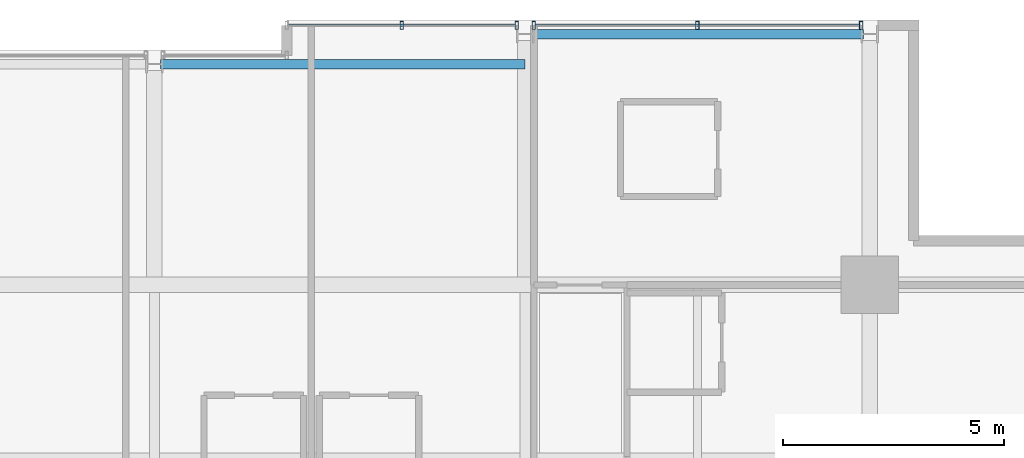
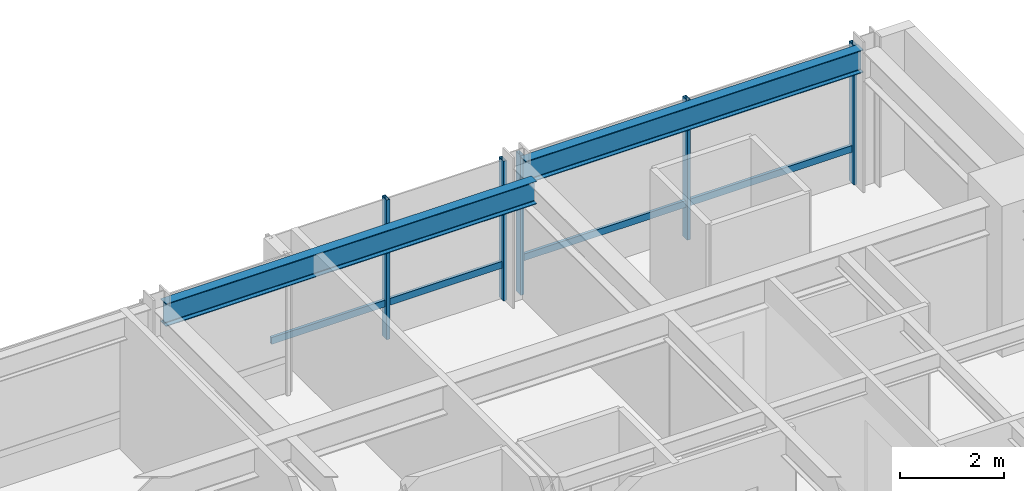
# One storey, part 23 of 31: 7 members, 2 beams, 2 elements without a shape of their own.
"""IFC4 building model written with IfcOpenShell, lengths in metres."""

import ifcopenshell
import ifcopenshell.guid

model = None  # the IFC model being written
_history = None  # IfcOwnerHistory: only IFC2X3 demands one
_inside = {}  # id of a spatial element -> (the spatial element, [elements in it])
_under = {}  # id of a project, library or spatial element -> (it, [spatial elements below it])
_declared = {}  # id of a project -> (the project, [libraries it declares])
_typed = {}  # id of a type object -> (the type object, [elements of that type])
_made_of = {}  # id of a material, layer set ... -> (it, [elements and type objects made of it])


def new_model(schema):
    """Start an empty IFC model of exactly this schema.

    Asked for "IFC4X3", IfcOpenShell would pick the latest addendum, in which some entities
    have other attributes; the version numbers below select the first issue.
    IFC2X3 requires an IfcOwnerHistory on every rooted entity: one is made here for all.
    """
    global model, _history
    if schema == "IFC4X3":
        model = ifcopenshell.file(schema_version=(4, 3, 0, 0))
    else:
        model = ifcopenshell.file(schema=schema)
    _inside.clear()
    _under.clear()
    _declared.clear()
    _typed.clear()
    _made_of.clear()
    _history = None
    if model.schema == "IFC2X3":
        org = make("IfcOrganization", Name="unknown")
        user = make(
            "IfcPersonAndOrganization",
            ThePerson=make("IfcPerson", FamilyName="unknown"),
            TheOrganization=org,
        )
        app = make(
            "IfcApplication",
            ApplicationDeveloper=org,
            Version="unknown",
            ApplicationFullName="unknown",
            ApplicationIdentifier="unknown",
        )
        _history = make(
            "IfcOwnerHistory",
            OwningUser=user,
            OwningApplication=app,
            ChangeAction="ADDED",
            CreationDate=0,
        )
    return model


def make(cls, **values):
    """One entity of the class cls with the attributes given. An attribute that is None is left unset."""
    return model.create_entity(
        cls, **{name: value for name, value in values.items() if value is not None}
    )


def rooted(cls, **values):
    """An entity with a GlobalId (a new one), such as an element, a storey or a relation."""
    return make(cls, GlobalId=ifcopenshell.guid.new(), OwnerHistory=_history, **values)


def si_unit(unit_type, name, prefix=None):
    """IfcSIUnit, for example si_unit("LENGTHUNIT", "METRE", prefix="MILLI")."""
    return make("IfcSIUnit", UnitType=unit_type, Prefix=prefix, Name=name)


def assignment(units):
    """IfcUnitAssignment: the units of a project."""
    return None if units is None else make("IfcUnitAssignment", Units=units)


def point(xyz):
    """IfcCartesianPoint."""
    return None if xyz is None else make("IfcCartesianPoint", Coordinates=xyz)


def direction(xyz):
    """IfcDirection."""
    return None if xyz is None else make("IfcDirection", DirectionRatios=xyz)


def frame(location, z_axis=None, x_axis=None):
    """IfcAxis2Placement3D, a coordinate frame: its origin and axes. An axis left out is left unset."""
    return make(
        "IfcAxis2Placement3D",
        Location=point(location),
        Axis=direction(z_axis),
        RefDirection=direction(x_axis),
    )


def frame_2d(location, x_axis=None):
    """IfcAxis2Placement2D, a coordinate frame in the plane: its origin and x axis."""
    return make(
        "IfcAxis2Placement2D", Location=point(location), RefDirection=direction(x_axis)
    )


def origin():
    """The frame at (0, 0, 0) with its axes left unset."""
    return frame((0.0, 0.0, 0.0))


def origin_2d():
    """The frame at (0, 0) in the plane with its x axis left unset."""
    return frame_2d((0.0, 0.0))


def place(relative_to, where):
    """IfcLocalPlacement: puts the frame where relative to a parent placement (None: the world)."""
    return make(
        "IfcLocalPlacement", PlacementRelTo=relative_to, RelativePlacement=where
    )


def context(
    kind, dimensions, precision=None, world=None, true_north=None, identifier=None
):
    """IfcGeometricRepresentationContext, for example the 3D "Model" context."""
    return make(
        "IfcGeometricRepresentationContext",
        ContextIdentifier=identifier,
        ContextType=kind,
        CoordinateSpaceDimension=dimensions,
        Precision=precision,
        WorldCoordinateSystem=world,
        TrueNorth=true_north,
    )


def subcontext(parent, identifier, kind, view, scale=None):
    """IfcGeometricRepresentationSubContext, for example "Body" below "Model"."""
    return make(
        "IfcGeometricRepresentationSubContext",
        ContextIdentifier=identifier,
        ContextType=kind,
        ParentContext=parent,
        TargetScale=scale,
        TargetView=view,
    )


def project(units=None, contexts=None):
    """IfcProject with its units and contexts."""
    return rooted(
        "IfcProject",
        Name="project",
        RepresentationContexts=contexts,
        UnitsInContext=assignment(units),
    )


def spatial(cls, under=None, at=None, **own):
    """A site, building, storey or space (cls), placed at a placement, below another one or the project."""
    s = rooted(cls, ObjectPlacement=at, **own)
    if under is not None:
        _under.setdefault(under.id(), (under, []))[1].append(s)
    return s


def profile(cls, at=None, kind="AREA", **sizes):
    """A parametric profile (cls). Its sizes go by their IFC names, for example OverallWidth=200.0."""
    return make(cls, ProfileType=kind, Position=at, **sizes)


def hollow_rectangle(**sizes):
    """IfcRectangleHollowProfileDef."""
    return profile("IfcRectangleHollowProfileDef", **sizes)


def i_section(**sizes):
    """IfcIShapeProfileDef."""
    return profile("IfcIShapeProfileDef", **sizes)


def extrude(swept, where, along, depth):
    """IfcExtrudedAreaSolid: the profile swept, set in the frame where, extruded along a direction by depth."""
    return make(
        "IfcExtrudedAreaSolid",
        SweptArea=swept,
        Position=where,
        ExtrudedDirection=direction(along),
        Depth=depth,
    )


def shape(context_of_items, identifier, shape_type, items):
    """IfcShapeRepresentation: the items that make up one representation, for example the "Body"."""
    return make(
        "IfcShapeRepresentation",
        ContextOfItems=context_of_items,
        RepresentationIdentifier=identifier,
        RepresentationType=shape_type,
        Items=items,
    )


def material(Name=None, Category=None):
    """IfcMaterial."""
    return make("IfcMaterial", Name=Name, Category=Category)


def layer(
    of_material, thickness, ventilated=None, Name=None, Category=None, Priority=None
):
    """IfcMaterialLayer: one layer of a wall or slab, of a material (None: an air gap)."""
    return make(
        "IfcMaterialLayer",
        Material=of_material,
        LayerThickness=thickness,
        IsVentilated=ventilated,
        Name=Name,
        Category=Category,
        Priority=Priority,
    )


def layer_set(layers, Name=None):
    """IfcMaterialLayerSet."""
    return make("IfcMaterialLayerSet", MaterialLayers=layers, LayerSetName=Name)


def material_profile(
    of_material, cross_section, Name=None, Category=None, Priority=None
):
    """IfcMaterialProfile: a cross section and its material."""
    return make(
        "IfcMaterialProfile",
        Name=Name,
        Material=of_material,
        Profile=cross_section,
        Priority=Priority,
        Category=Category,
    )


def profile_set(profiles, Name=None, composite=None):
    """IfcMaterialProfileSet."""
    return make(
        "IfcMaterialProfileSet",
        Name=Name,
        MaterialProfiles=profiles,
        CompositeProfile=composite,
    )


def made_of(thing, what):
    """Note that an element or type object is made of a material, layer set ...; save() writes the relation."""
    if what is not None:
        _made_of.setdefault(what.id(), (what, []))[1].append(thing)
    return thing


def type_object(cls, material=None, **own):
    """A type object (cls), such as IfcWallType, which elements share."""
    return made_of(rooted(cls, **own), material)


def element(
    cls,
    number,
    at=None,
    inside=None,
    cuts=None,
    type_object=None,
    material=None,
    context=None,
    identifier="Body",
    shape_type=None,
    held_by="IfcProductDefinitionShape",
    body=None,
    shapes=None,
    **own,
):
    """One element of the class cls, such as IfcWall. Its Tag is "e" and its number.

    at: its placement. inside: the storey or other place that contains it. cuts: it is an
    opening in that element (IfcRelVoidsElement). A single representation is given by context,
    identifier, shape_type and body (its items); several are given by shapes. held_by: the class
    of the entity that holds the representations. save() writes the other relations.
    """
    e = rooted(cls, Tag="e%d" % number, ObjectPlacement=at, **own)
    if body is not None:
        shapes = [shape(context, identifier, shape_type, body)]
    if shapes is not None:
        e.Representation = make(held_by, Representations=shapes)
    if inside is not None:
        _inside.setdefault(inside.id(), (inside, []))[1].append(e)
    if cuts is not None:
        rooted(
            "IfcRelVoidsElement", RelatingBuildingElement=cuts, RelatedOpeningElement=e
        )
    if type_object is not None:
        _typed.setdefault(type_object.id(), (type_object, []))[1].append(e)
    return made_of(e, material)


def aggregate(whole, parts):
    """IfcRelAggregates: a whole, such as a stair, and the parts it consists of."""
    return rooted("IfcRelAggregates", RelatingObject=whole, RelatedObjects=parts)


def save(model, path):
    """Write the relations noted so far, then the file.

    IfcRelAggregates (storeys below a building ...), IfcRelContainedInSpatialStructure (elements
    in a storey), IfcRelDefinesByType, IfcRelAssociatesMaterial and IfcRelDeclares: one each for
    every whole, place, type object, material and project.
    """
    for whole, parts in _under.values():
        aggregate(whole, parts)
    for where, things in _inside.values():
        rooted(
            "IfcRelContainedInSpatialStructure",
            RelatedElements=things,
            RelatingStructure=where,
        )
    for kind, things in _typed.values():
        rooted("IfcRelDefinesByType", RelatedObjects=things, RelatingType=kind)
    for what, things in _made_of.values():
        rooted("IfcRelAssociatesMaterial", RelatedObjects=things, RelatingMaterial=what)
    for by, libraries in _declared.values():
        rooted("IfcRelDeclares", RelatingContext=by, RelatedDefinitions=libraries)
    model.write(path)


model = new_model("IFC4")

# Units and contexts
model_context = context("Model", 3, precision=1e-05, world=origin(), true_north=direction((0.0, 1.0)))
body_context = subcontext(model_context, "Body", "Model", "MODEL_VIEW")
ifc_project = project(units=[si_unit("LENGTHUNIT", "METRE"), si_unit("AREAUNIT", "SQUARE_METRE"), si_unit("VOLUMEUNIT", "CUBIC_METRE"), si_unit("PLANEANGLEUNIT", "RADIAN"), si_unit("MASSUNIT", "GRAM", prefix="KILO")], contexts=[model_context])

# Site, building, storey
site_placement = place(None, origin())
site = spatial("IfcSite", under=ifc_project, at=site_placement, CompositionType="ELEMENT")
building_placement = place(site_placement, origin())
building = spatial("IfcBuilding", under=site, at=building_placement, Name="Drelvath Grand Hotel", CompositionType="ELEMENT")
storey_placement = place(building_placement, frame((0.0, 0.0, 185.89990234375)))
storey = spatial("IfcBuildingStorey", under=building, at=storey_placement, Name="L48", CompositionType="ELEMENT", Elevation=185.89990234375)

# Curtain wall, member
ifc_material_1 = material(Name="Brushed Pale-Silver Anodised Aluminium Frame", Category="aluminium")
ifc_layer = layer(ifc_material_1, 0.199951171875)
ifc_layer_set = layer_set([ifc_layer], Name="Brushed Pale-Silver Anodised Aluminium Frame")
curtain_wall_type = type_object("IfcCurtainWallType", Name="Stick Curtain Wall CW-04 Brushed Silver Upper-Mid", PredefinedType="NOTDEFINED", material=ifc_layer_set)
curtain_wall_1_placement = place(storey_placement, origin())
curtain_wall_1 = element("IfcCurtainWall", 1, at=curtain_wall_1_placement, inside=storey, type_object=curtain_wall_type, Name="L48 CW-04 Curtain Wall CW04-L48-NE1", PredefinedType="NOTDEFINED")
ifc_material_profile_1 = material_profile(ifc_material_1, hollow_rectangle(XDim=0.06494140625, YDim=0.159912109375, WallThickness=0.00390625, at=origin_2d()), Name="HSS160X65X4")
ifc_profile_set_1 = profile_set([ifc_material_profile_1], Name="Brushed Pale-Silver Anodised Aluminium Frame")
member_type_1 = type_object("IfcMemberType", Name="Curtain Wall Horizontal Transom CW-04 HSS160X65X4", PredefinedType="USERDEFINED", material=ifc_profile_set_1)
member_1_placement = place(storey_placement, frame((3.0400390625, 49.080078125, 0.822509765625), z_axis=(1.0, 0.0, 0.0), x_axis=(0.0, 1.0, 0.0)))
member_1 = element("IfcMember", 2, at=member_1_placement, type_object=member_type_1, Name="CW04-L48-NE1 Sill Transom", ObjectType="TRANSOM", PredefinedType="USERDEFINED", context=body_context, shape_type="SweptSolid", body=[
    extrude(hollow_rectangle(XDim=0.06494140625, YDim=0.159912109375, WallThickness=0.00390625, at=origin_2d()), origin(), (0.0, 0.0, 1.0), 5.128173828125),
])

curtain_wall_2_placement = place(storey_placement, origin())
curtain_wall_2 = element("IfcCurtainWall", 3, at=curtain_wall_2_placement, inside=storey, type_object=curtain_wall_type, Name="L48 CW-04 Curtain Wall CW04-L48-NE2", PredefinedType="NOTDEFINED")
member_2_placement = place(storey_placement, frame((8.631591796875, 49.080078125, 0.822509765625), z_axis=(1.0, 0.0, 0.0), x_axis=(0.0, 1.0, 0.0)))
member_2 = element("IfcMember", 4, at=member_2_placement, type_object=member_type_1, Name="CW04-L48-NE2 Sill Transom", ObjectType="TRANSOM", PredefinedType="USERDEFINED", context=body_context, shape_type="SweptSolid", body=[
    extrude(hollow_rectangle(XDim=0.06494140625, YDim=0.159912109375, WallThickness=0.00390625, at=origin_2d()), origin(), (0.0, 0.0, 1.0), 7.3369140625),
])

# Member
ifc_material_profile_2 = material_profile(ifc_material_1, hollow_rectangle(XDim=0.074951171875, YDim=0.179931640625, WallThickness=0.0048828125, at=origin_2d()), Name="HSS180X75X5")
ifc_profile_set_2 = profile_set([ifc_material_profile_2], Name="Brushed Pale-Silver Anodised Aluminium Frame")
member_type_2 = type_object("IfcMemberType", Name="Curtain Wall Vertical Mullion CW-04 HSS180X75X5", PredefinedType="MULLION", material=ifc_profile_set_2)
member_3_placement = place(storey_placement, frame((5.60400390625, 49.080078125, 0.0), z_axis=(0.0, 0.0, 1.0), x_axis=(1.0, 0.0, 0.0)))
member_3 = element("IfcMember", 5, at=member_3_placement, type_object=member_type_2, Name="CW04-L48-NE1 Mullion 2", PredefinedType="MULLION", context=body_context, shape_type="SweptSolid", body=[
    extrude(hollow_rectangle(XDim=0.074951171875, YDim=0.179931640625, WallThickness=0.0048828125, at=origin_2d()), origin(), (0.0, 0.0, 1.0), 3.2900390625),
])

member_4_placement = place(storey_placement, frame((8.208251953125, 49.080078125, 0.0), z_axis=(0.0, 0.0, 1.0), x_axis=(1.0, 0.0, 0.0)))
member_4 = element("IfcMember", 6, at=member_4_placement, type_object=member_type_2, Name="CW04-L48-NE1 Mullion 3", PredefinedType="MULLION", context=body_context, shape_type="SweptSolid", body=[
    extrude(hollow_rectangle(XDim=0.074951171875, YDim=0.179931640625, WallThickness=0.0048828125, at=origin_2d()), origin(), (0.0, 0.0, 1.0), 3.2900390625),
])

aggregate(curtain_wall_1, [member_3, member_4, member_1])

member_5_placement = place(storey_placement, frame((8.591796875, 49.080078125, 0.0), z_axis=(0.0, 0.0, 1.0), x_axis=(1.0, 0.0, 0.0)))
member_5 = element("IfcMember", 7, at=member_5_placement, type_object=member_type_2, Name="CW04-L48-NE2 Mullion 1", PredefinedType="MULLION", context=body_context, shape_type="SweptSolid", body=[
    extrude(hollow_rectangle(XDim=0.074951171875, YDim=0.179931640625, WallThickness=0.0048828125, at=origin_2d()), origin(), (0.0, 0.0, 1.0), 3.2900390625),
])

member_6_placement = place(storey_placement, frame((12.300048828125, 49.080078125, 0.0), z_axis=(0.0, 0.0, 1.0), x_axis=(1.0, 0.0, 0.0)))
member_6 = element("IfcMember", 8, at=member_6_placement, type_object=member_type_2, Name="CW04-L48-NE2 Mullion 2", PredefinedType="MULLION", context=body_context, shape_type="SweptSolid", body=[
    extrude(hollow_rectangle(XDim=0.074951171875, YDim=0.179931640625, WallThickness=0.0048828125, at=origin_2d()), origin(), (0.0, 0.0, 1.0), 3.2900390625),
])

member_7_placement = place(storey_placement, frame((16.00830078125, 49.080078125, 0.0), z_axis=(0.0, 0.0, 1.0), x_axis=(1.0, 0.0, 0.0)))
member_7 = element("IfcMember", 9, at=member_7_placement, type_object=member_type_2, Name="CW04-L48-NE2 Mullion 3", PredefinedType="MULLION", context=body_context, shape_type="SweptSolid", body=[
    extrude(hollow_rectangle(XDim=0.074951171875, YDim=0.179931640625, WallThickness=0.0048828125, at=origin_2d()), origin(), (0.0, 0.0, 1.0), 3.2900390625),
])

aggregate(curtain_wall_2, [member_5, member_6, member_7, member_2])

# Beams
ifc_material_2 = material(Name="Steel ASTM A992 Gr 50", Category="steel")
ifc_material_profile_3 = material_profile(ifc_material_2, i_section(OverallWidth=0.210205078125, OverallDepth=0.53662109375, WebThickness=0.010986328125, FlangeThickness=0.017333984375, FilletRadius=0.01806640625, at=origin_2d()), Name="W21X68")
ifc_profile_set_3 = profile_set([ifc_material_profile_3], Name="Steel ASTM A992 Gr 50")
beam_type = type_object("IfcBeamType", Name="Perimeter Spandrel Beam W21X68", PredefinedType="SPANDREL", material=ifc_profile_set_3)
beam_1_placement = place(storey_placement, frame((0.139892578125, 48.199951171875, 3.021728515625), z_axis=(1.0, 0.0, 0.0), x_axis=(0.0, 1.0, 0.0)))
element("IfcBeam", 10, at=beam_1_placement, inside=storey, type_object=beam_type, Name="L48 Spandrel North Mid E", PredefinedType="SPANDREL", context=body_context, shape_type="SweptSolid", body=[
    extrude(i_section(OverallWidth=0.210205078125, OverallDepth=0.53662109375, WebThickness=0.010986328125, FlangeThickness=0.017333984375, FilletRadius=0.01806640625, at=origin_2d()), origin(), (0.0, 0.0, 1.0), 8.260009765625),
])
beam_2_placement = place(storey_placement, frame((8.5400390625, 48.8798828125, 3.021728515625), z_axis=(1.0, 0.0, 0.0), x_axis=(0.0, 1.0, 0.0)))
element("IfcBeam", 11, at=beam_2_placement, inside=storey, type_object=beam_type, Name="L48 Spandrel North E", PredefinedType="SPANDREL", context=body_context, shape_type="SweptSolid", body=[
    extrude(i_section(OverallWidth=0.210205078125, OverallDepth=0.53662109375, WebThickness=0.010986328125, FlangeThickness=0.017333984375, FilletRadius=0.01806640625, at=origin_2d()), origin(), (0.0, 0.0, 1.0), 7.52001953125),
])

save(model, "model.ifc")
